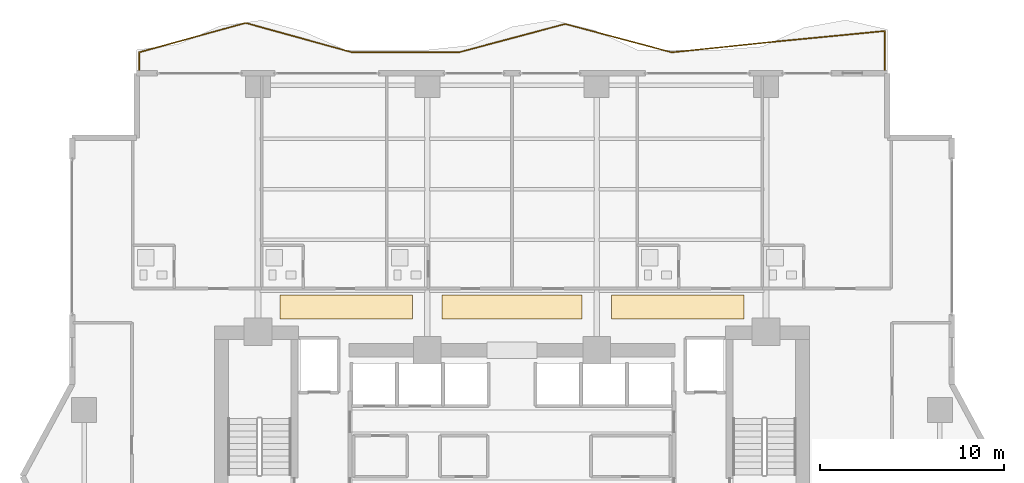
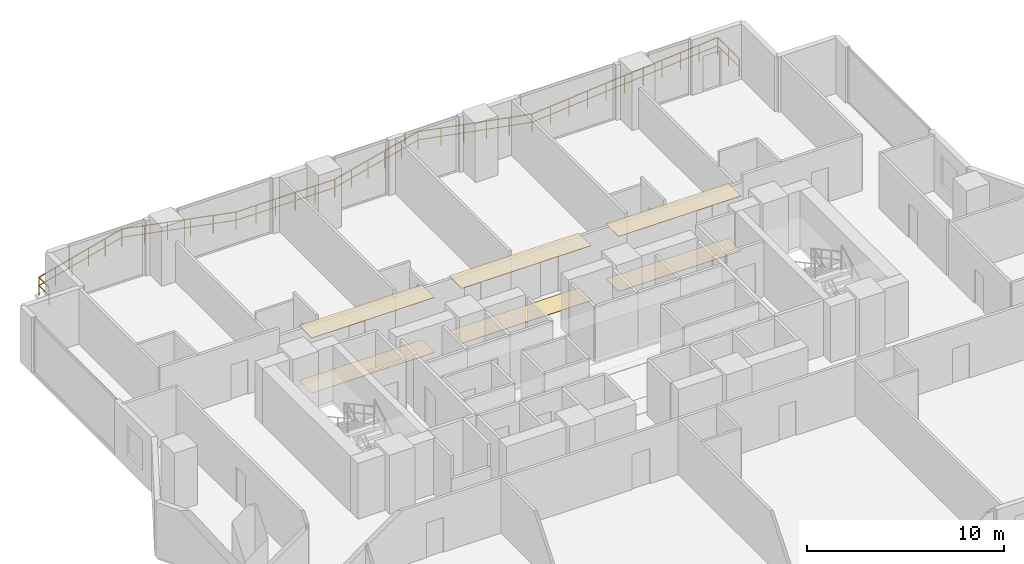
# One storey, part 28 of 29: 6 coverings, 1 railing.
"""IFC4 building model written with IfcOpenShell, lengths in metres."""

from ifc_helpers import new_model, si_unit, direction, frame, origin, origin_2d, place, context, subcontext, project, spatial, polyline, rectangle, outline, extrude, material, layer, layer_set, type_object, element, save


model = new_model("IFC4")

# Units and contexts
model_context = context("Model", 3, precision=1e-05, world=origin(), true_north=direction((0.0, 1.0)))
body_context = subcontext(model_context, "Body", "Model", "MODEL_VIEW")
ifc_project = project(units=[si_unit("LENGTHUNIT", "METRE"), si_unit("AREAUNIT", "SQUARE_METRE"), si_unit("VOLUMEUNIT", "CUBIC_METRE"), si_unit("PLANEANGLEUNIT", "RADIAN"), si_unit("MASSUNIT", "GRAM", prefix="KILO")], contexts=[model_context])

# Site, building, storey
site_placement = place(None, origin())
site = spatial("IfcSite", under=ifc_project, at=site_placement, CompositionType="ELEMENT")
building_placement = place(site_placement, origin())
building = spatial("IfcBuilding", under=site, at=building_placement, Name="Zuhayl Quay Hotel", CompositionType="ELEMENT")
storey_placement = place(building_placement, frame((0.0, 0.0, 132.14990234375)))
storey = spatial("IfcBuildingStorey", under=building, at=storey_placement, Name="L33", CompositionType="ELEMENT", Elevation=132.14990234375)

# Coverings
ifc_material_1 = material(Name="Acoustic Mineral-Fibre Gypsum Board")
ifc_layer_1 = layer(ifc_material_1, 0.02490234375, Name="Acoustic Mineral-Fibre Gypsum Board")
ifc_layer_set_1 = layer_set([ifc_layer_1], Name="Acoustic Mineral-Fibre Gypsum Board")
covering_type_1 = type_object("IfcCoveringType", Name="CV_CEIL_ACOUSTIC", PredefinedType="CEILING", material=ifc_layer_set_1)
covering_1_placement = place(storey_placement, frame((0.0, 0.0, 3.405029296875)))
element("IfcCovering", 1, at=covering_1_placement, inside=storey, type_object=covering_type_1, Name="L33 Guest Corridor Acoustic Ceiling CW", PredefinedType="CEILING", context=body_context, shape_type="SweptSolid", body=[
    extrude(outline(polyline([(-12.60009765625, 15.050048828125), (-5.39990234375, 15.050048828125), (-5.39990234375, 16.35009765625), (-12.60009765625, 16.35009765625), (-12.60009765625, 15.050048828125)])), origin(), (0.0, 0.0, 1.0), 0.025146484375),
])
covering_2_placement = place(storey_placement, frame((0.0, 0.0, 3.405029296875)))
element("IfcCovering", 2, at=covering_2_placement, inside=storey, type_object=covering_type_1, Name="L33 Guest Corridor Acoustic Ceiling CC", PredefinedType="CEILING", context=body_context, shape_type="SweptSolid", body=[
    extrude(outline(polyline([(-3.800048828125, 15.050048828125), (3.800048828125, 15.050048828125), (3.800048828125, 16.35009765625), (-3.800048828125, 16.35009765625), (-3.800048828125, 15.050048828125)])), origin(), (0.0, 0.0, 1.0), 0.025146484375),
])
covering_3_placement = place(storey_placement, frame((0.0, 0.0, 3.405029296875)))
element("IfcCovering", 3, at=covering_3_placement, inside=storey, type_object=covering_type_1, Name="L33 Guest Corridor Acoustic Ceiling CE", PredefinedType="CEILING", context=body_context, shape_type="SweptSolid", body=[
    extrude(outline(polyline([(5.39990234375, 15.050048828125), (12.60009765625, 15.050048828125), (12.60009765625, 16.35009765625), (5.39990234375, 16.35009765625), (5.39990234375, 15.050048828125)])), origin(), (0.0, 0.0, 1.0), 0.025146484375),
])
ifc_material_2 = material(Name="Polished Limestone Terrazzo", Category="masonry")
ifc_layer_2 = layer(ifc_material_2, 0.02001953125, Name="Polished Limestone Terrazzo", Category="masonry")
ifc_layer_set_2 = layer_set([ifc_layer_2], Name="Polished Limestone Terrazzo")
covering_type_2 = type_object("IfcCoveringType", Name="CV_FLOOR_TERRAZZO", PredefinedType="FLOORING", material=ifc_layer_set_2)
covering_4_placement = place(storey_placement, origin())
element("IfcCovering", 4, at=covering_4_placement, inside=storey, type_object=covering_type_2, Name="L33 Guest Corridor Terrazzo Runner CW", PredefinedType="FLOORING", context=body_context, shape_type="SweptSolid", body=[
    extrude(outline(polyline([(-12.60009765625, 15.050048828125), (-5.39990234375, 15.050048828125), (-5.39990234375, 16.35009765625), (-12.60009765625, 16.35009765625), (-12.60009765625, 15.050048828125)])), origin(), (0.0, 0.0, 1.0), 0.02001953125),
])
covering_5_placement = place(storey_placement, origin())
element("IfcCovering", 5, at=covering_5_placement, inside=storey, type_object=covering_type_2, Name="L33 Guest Corridor Terrazzo Runner CC", PredefinedType="FLOORING", context=body_context, shape_type="SweptSolid", body=[
    extrude(outline(polyline([(-3.800048828125, 15.050048828125), (3.800048828125, 15.050048828125), (3.800048828125, 16.35009765625), (-3.800048828125, 16.35009765625), (-3.800048828125, 15.050048828125)])), origin(), (0.0, 0.0, 1.0), 0.02001953125),
])
covering_6_placement = place(storey_placement, origin())
element("IfcCovering", 6, at=covering_6_placement, inside=storey, type_object=covering_type_2, Name="L33 Guest Corridor Terrazzo Runner CE", PredefinedType="FLOORING", context=body_context, shape_type="SweptSolid", body=[
    extrude(outline(polyline([(5.39990234375, 15.050048828125), (12.60009765625, 15.050048828125), (12.60009765625, 16.35009765625), (5.39990234375, 16.35009765625), (5.39990234375, 15.050048828125)])), origin(), (0.0, 0.0, 1.0), 0.02001953125),
])

# Railing
ifc_material_3 = material(Name="Anodised Aluminium and Laminated Glass", Category="aluminium")
railing_type = type_object("IfcRailingType", Name="RL_EXT_BAL_1100", PredefinedType="BALUSTRADE", material=ifc_material_3)
railing_placement = place(storey_placement, frame((-20.260009765625, 28.52001953125, 0.0)))
element("IfcRailing", 7, at=railing_placement, inside=storey, type_object=railing_type, Name="L33 Balcony and Terrace Guard GR_L33_BAL_N", PredefinedType="BALUSTRADE", context=body_context, shape_type="SweptSolid", body=[
    extrude(rectangle(XDim=0.048095703125, YDim=0.048095703125, at=origin_2d()), frame((0.0, 0.0, 1.09619140625), z_axis=(0.0, 1.0, 0.0), x_axis=(-1.0, 0.0, 0.0)), (0.0, 0.0, 1.0), 1.02001953125),
    extrude(rectangle(XDim=0.0361328125, YDim=0.0361328125, at=origin_2d()), frame((0.0, 0.0, 0.58251953125), z_axis=(0.0, 1.0, 0.0), x_axis=(-1.0, 0.0, 0.0)), (0.0, 0.0, 1.0), 1.02001953125),
    extrude(rectangle(XDim=0.048095703125, YDim=0.048095703125, at=origin_2d()), frame((0.0, 1.02001953125, 1.09619140625), z_axis=(0.963916390906, 0.266205167763, 0.0), x_axis=(-0.266205167763, 0.963916390906, 0.0)), (0.0, 0.0, 1.0), 6.00537109375),
    extrude(rectangle(XDim=0.0361328125, YDim=0.0361328125, at=origin_2d()), frame((0.0, 1.02001953125, 0.58251953125), z_axis=(0.963916390906, 0.266205167763, 0.0), x_axis=(-0.266205167763, 0.963916390906, 0.0)), (0.0, 0.0, 1.0), 6.00537109375),
    extrude(rectangle(XDim=0.048095703125, YDim=0.048095703125, at=origin_2d()), frame((5.78857421875, 2.61865234375, 1.09619140625), z_axis=(0.963916390906, -0.266205167763, 0.0), x_axis=(0.266205167763, 0.963916390906, 0.0)), (0.0, 0.0, 1.0), 6.00537109375),
    extrude(rectangle(XDim=0.0361328125, YDim=0.0361328125, at=origin_2d()), frame((5.78857421875, 2.61865234375, 0.58251953125), z_axis=(0.963916390906, -0.266205167763, 0.0), x_axis=(0.266205167763, 0.963916390906, 0.0)), (0.0, 0.0, 1.0), 6.00537109375),
    extrude(rectangle(XDim=0.048095703125, YDim=0.048095703125, at=origin_2d()), frame((11.5771484375, 1.02001953125, 1.09619140625), z_axis=(1.0, 0.0, 0.0), x_axis=(0.0, 1.0, 0.0)), (0.0, 0.0, 1.0), 5.78857421875),
    extrude(rectangle(XDim=0.0361328125, YDim=0.0361328125, at=origin_2d()), frame((11.5771484375, 1.02001953125, 0.58251953125), z_axis=(1.0, 0.0, 0.0), x_axis=(0.0, 1.0, 0.0)), (0.0, 0.0, 1.0), 5.78857421875),
    extrude(rectangle(XDim=0.048095703125, YDim=0.048095703125, at=origin_2d()), frame((17.36572265625, 1.02001953125, 1.09619140625), z_axis=(0.966231557604, 0.257675332717, 0.0), x_axis=(-0.257675332717, 0.966231557604, 0.0)), (0.0, 0.0, 1.0), 5.990966796875),
    extrude(rectangle(XDim=0.0361328125, YDim=0.0361328125, at=origin_2d()), frame((17.36572265625, 1.02001953125, 0.58251953125), z_axis=(0.966231557604, 0.257675332717, 0.0), x_axis=(-0.257675332717, 0.966231557604, 0.0)), (0.0, 0.0, 1.0), 5.990966796875),
    extrude(rectangle(XDim=0.048095703125, YDim=0.048095703125, at=origin_2d()), frame((23.154296875, 2.563720703125, 1.09619140625), z_axis=(0.966231557604, -0.257675332717, 0.0), x_axis=(0.257675332717, 0.966231557604, 0.0)), (0.0, 0.0, 1.0), 5.990966796875),
    extrude(rectangle(XDim=0.0361328125, YDim=0.0361328125, at=origin_2d()), frame((23.154296875, 2.563720703125, 0.58251953125), z_axis=(0.966231557604, -0.257675332717, 0.0), x_axis=(0.257675332717, 0.966231557604, 0.0)), (0.0, 0.0, 1.0), 5.990966796875),
    extrude(rectangle(XDim=0.048095703125, YDim=0.048095703125, at=origin_2d()), frame((28.94287109375, 1.02001953125, 1.09619140625), z_axis=(0.994669264307, 0.103116703993, 0.0), x_axis=(-0.103116703993, 0.994669264307, 0.0)), (0.0, 0.0, 1.0), 5.819580078125),
    extrude(rectangle(XDim=0.0361328125, YDim=0.0361328125, at=origin_2d()), frame((28.94287109375, 1.02001953125, 0.58251953125), z_axis=(0.994669264307, 0.103116703993, 0.0), x_axis=(-0.103116703993, 0.994669264307, 0.0)), (0.0, 0.0, 1.0), 5.819580078125),
    extrude(rectangle(XDim=0.048095703125, YDim=0.048095703125, at=origin_2d()), frame((34.7314453125, 1.6201171875, 1.09619140625), z_axis=(0.995368173148, 0.096136360882, 0.0), x_axis=(-0.096136360882, 0.995368173148, 0.0)), (0.0, 0.0, 1.0), 5.8154296875),
    extrude(rectangle(XDim=0.0361328125, YDim=0.0361328125, at=origin_2d()), frame((34.7314453125, 1.6201171875, 0.58251953125), z_axis=(0.995368173148, 0.096136360882, 0.0), x_axis=(-0.096136360882, 0.995368173148, 0.0)), (0.0, 0.0, 1.0), 5.8154296875),
    extrude(rectangle(XDim=0.048095703125, YDim=0.048095703125, at=origin_2d()), frame((40.52001953125, 2.17919921875, 1.09619140625), z_axis=(0.0, -1.0, 0.0), x_axis=(1.0, 0.0, 0.0)), (0.0, 0.0, 1.0), 2.17919921875),
    extrude(rectangle(XDim=0.0361328125, YDim=0.0361328125, at=origin_2d()), frame((40.52001953125, 2.17919921875, 0.58251953125), z_axis=(0.0, -1.0, 0.0), x_axis=(1.0, 0.0, 0.0)), (0.0, 0.0, 1.0), 2.17919921875),
    extrude(rectangle(XDim=0.0419921875, YDim=0.0419921875, at=origin_2d()), origin(), (0.0, 0.0, 1.0), 1.072021484375),
    extrude(rectangle(XDim=0.0419921875, YDim=0.0419921875, at=origin_2d()), frame((0.0, 1.02001953125, 0.0)), (0.0, 0.0, 1.0), 1.072021484375),
    extrude(rectangle(XDim=0.0419921875, YDim=0.0419921875, at=origin_2d()), frame((1.15771484375, 1.33984375, 0.0)), (0.0, 0.0, 1.0), 1.072021484375),
    extrude(rectangle(XDim=0.0419921875, YDim=0.0419921875, at=origin_2d()), frame((2.3154296875, 1.659423828125, 0.0)), (0.0, 0.0, 1.0), 1.072021484375),
    extrude(rectangle(XDim=0.0419921875, YDim=0.0419921875, at=origin_2d()), frame((3.47314453125, 1.979248046875, 0.0)), (0.0, 0.0, 1.0), 1.072021484375),
    extrude(rectangle(XDim=0.0419921875, YDim=0.0419921875, at=origin_2d()), frame((4.630859375, 2.298828125, 0.0)), (0.0, 0.0, 1.0), 1.072021484375),
    extrude(rectangle(XDim=0.0419921875, YDim=0.0419921875, at=origin_2d()), frame((5.78857421875, 2.61865234375, 0.0)), (0.0, 0.0, 1.0), 1.072021484375),
    extrude(rectangle(XDim=0.0419921875, YDim=0.0419921875, at=origin_2d()), frame((6.9462890625, 2.298828125, 0.0)), (0.0, 0.0, 1.0), 1.072021484375),
    extrude(rectangle(XDim=0.0419921875, YDim=0.0419921875, at=origin_2d()), frame((8.10400390625, 1.979248046875, 0.0)), (0.0, 0.0, 1.0), 1.072021484375),
    extrude(rectangle(XDim=0.0419921875, YDim=0.0419921875, at=origin_2d()), frame((9.26171875, 1.659423828125, 0.0)), (0.0, 0.0, 1.0), 1.072021484375),
    extrude(rectangle(XDim=0.0419921875, YDim=0.0419921875, at=origin_2d()), frame((10.41943359375, 1.33984375, 0.0)), (0.0, 0.0, 1.0), 1.072021484375),
    extrude(rectangle(XDim=0.0419921875, YDim=0.0419921875, at=origin_2d()), frame((11.5771484375, 1.02001953125, 0.0)), (0.0, 0.0, 1.0), 1.072021484375),
    extrude(rectangle(XDim=0.0419921875, YDim=0.0419921875, at=origin_2d()), frame((12.73486328125, 1.02001953125, 0.0)), (0.0, 0.0, 1.0), 1.072021484375),
    extrude(rectangle(XDim=0.0419921875, YDim=0.0419921875, at=origin_2d()), frame((13.892578125, 1.02001953125, 0.0)), (0.0, 0.0, 1.0), 1.072021484375),
    extrude(rectangle(XDim=0.0419921875, YDim=0.0419921875, at=origin_2d()), frame((15.05029296875, 1.02001953125, 0.0)), (0.0, 0.0, 1.0), 1.072021484375),
    extrude(rectangle(XDim=0.0419921875, YDim=0.0419921875, at=origin_2d()), frame((16.2080078125, 1.02001953125, 0.0)), (0.0, 0.0, 1.0), 1.072021484375),
    extrude(rectangle(XDim=0.0419921875, YDim=0.0419921875, at=origin_2d()), frame((17.36572265625, 1.02001953125, 0.0)), (0.0, 0.0, 1.0), 1.072021484375),
    extrude(rectangle(XDim=0.0419921875, YDim=0.0419921875, at=origin_2d()), frame((18.5234375, 1.328857421875, 0.0)), (0.0, 0.0, 1.0), 1.072021484375),
    extrude(rectangle(XDim=0.0419921875, YDim=0.0419921875, at=origin_2d()), frame((19.68115234375, 1.637451171875, 0.0)), (0.0, 0.0, 1.0), 1.072021484375),
    extrude(rectangle(XDim=0.0419921875, YDim=0.0419921875, at=origin_2d()), frame((20.8388671875, 1.9462890625, 0.0)), (0.0, 0.0, 1.0), 1.072021484375),
    extrude(rectangle(XDim=0.0419921875, YDim=0.0419921875, at=origin_2d()), frame((21.99658203125, 2.2548828125, 0.0)), (0.0, 0.0, 1.0), 1.072021484375),
    extrude(rectangle(XDim=0.0419921875, YDim=0.0419921875, at=origin_2d()), frame((23.154296875, 2.563720703125, 0.0)), (0.0, 0.0, 1.0), 1.072021484375),
    extrude(rectangle(XDim=0.0419921875, YDim=0.0419921875, at=origin_2d()), frame((24.31201171875, 2.2548828125, 0.0)), (0.0, 0.0, 1.0), 1.072021484375),
    extrude(rectangle(XDim=0.0419921875, YDim=0.0419921875, at=origin_2d()), frame((25.4697265625, 1.9462890625, 0.0)), (0.0, 0.0, 1.0), 1.072021484375),
    extrude(rectangle(XDim=0.0419921875, YDim=0.0419921875, at=origin_2d()), frame((26.62744140625, 1.637451171875, 0.0)), (0.0, 0.0, 1.0), 1.072021484375),
    extrude(rectangle(XDim=0.0419921875, YDim=0.0419921875, at=origin_2d()), frame((27.78515625, 1.328857421875, 0.0)), (0.0, 0.0, 1.0), 1.072021484375),
    extrude(rectangle(XDim=0.0419921875, YDim=0.0419921875, at=origin_2d()), frame((28.94287109375, 1.02001953125, 0.0)), (0.0, 0.0, 1.0), 1.072021484375),
    extrude(rectangle(XDim=0.0419921875, YDim=0.0419921875, at=origin_2d()), frame((30.1005859375, 1.14013671875, 0.0)), (0.0, 0.0, 1.0), 1.072021484375),
    extrude(rectangle(XDim=0.0419921875, YDim=0.0419921875, at=origin_2d()), frame((31.25830078125, 1.260009765625, 0.0)), (0.0, 0.0, 1.0), 1.072021484375),
    extrude(rectangle(XDim=0.0419921875, YDim=0.0419921875, at=origin_2d()), frame((32.416015625, 1.380126953125, 0.0)), (0.0, 0.0, 1.0), 1.072021484375),
    extrude(rectangle(XDim=0.0419921875, YDim=0.0419921875, at=origin_2d()), frame((33.57373046875, 1.5, 0.0)), (0.0, 0.0, 1.0), 1.072021484375),
    extrude(rectangle(XDim=0.0419921875, YDim=0.0419921875, at=origin_2d()), frame((34.7314453125, 1.6201171875, 0.0)), (0.0, 0.0, 1.0), 1.072021484375),
    extrude(rectangle(XDim=0.0419921875, YDim=0.0419921875, at=origin_2d()), frame((35.88916015625, 1.73193359375, 0.0)), (0.0, 0.0, 1.0), 1.072021484375),
    extrude(rectangle(XDim=0.0419921875, YDim=0.0419921875, at=origin_2d()), frame((37.046875, 1.84375, 0.0)), (0.0, 0.0, 1.0), 1.072021484375),
    extrude(rectangle(XDim=0.0419921875, YDim=0.0419921875, at=origin_2d()), frame((38.20458984375, 1.95556640625, 0.0)), (0.0, 0.0, 1.0), 1.072021484375),
    extrude(rectangle(XDim=0.0419921875, YDim=0.0419921875, at=origin_2d()), frame((39.3623046875, 2.0673828125, 0.0)), (0.0, 0.0, 1.0), 1.072021484375),
    extrude(rectangle(XDim=0.0419921875, YDim=0.0419921875, at=origin_2d()), frame((40.52001953125, 2.17919921875, 0.0)), (0.0, 0.0, 1.0), 1.072021484375),
    extrude(rectangle(XDim=0.0419921875, YDim=0.0419921875, at=origin_2d()), frame((40.52001953125, 1.089599609375, 0.0)), (0.0, 0.0, 1.0), 1.072021484375),
    extrude(rectangle(XDim=0.0419921875, YDim=0.0419921875, at=origin_2d()), frame((40.52001953125, 0.0, 0.0)), (0.0, 0.0, 1.0), 1.072021484375),
])

save(model, "model.ifc")
